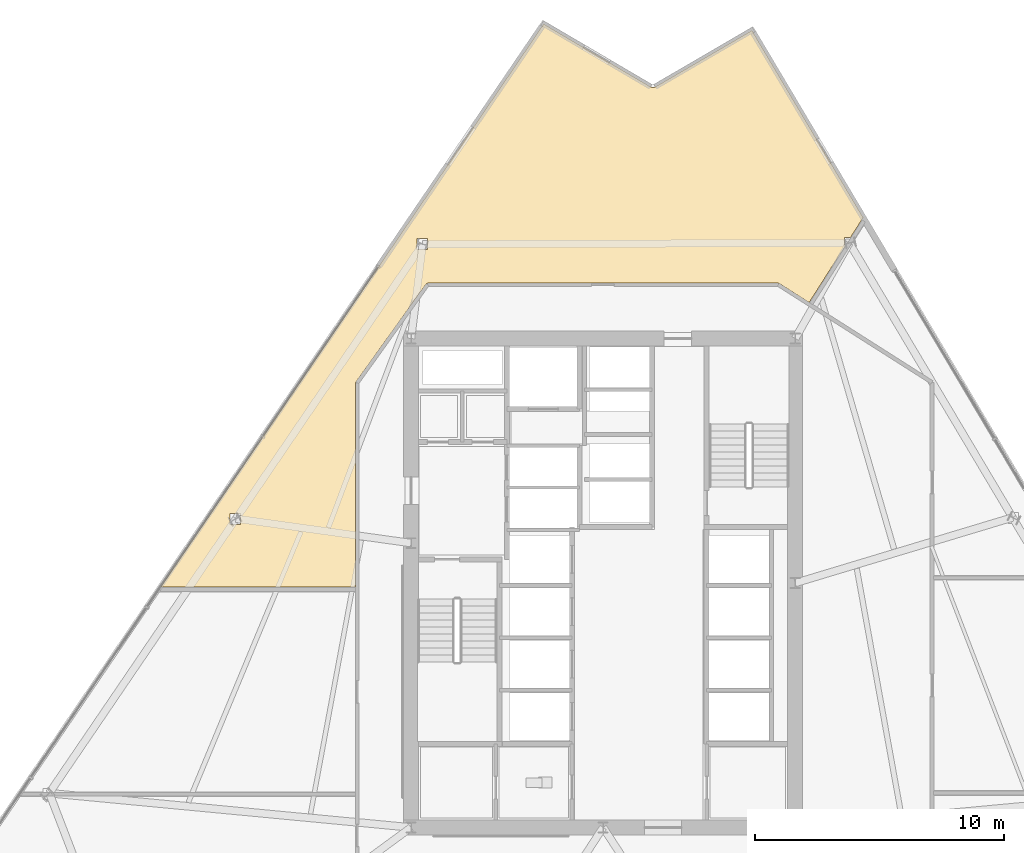
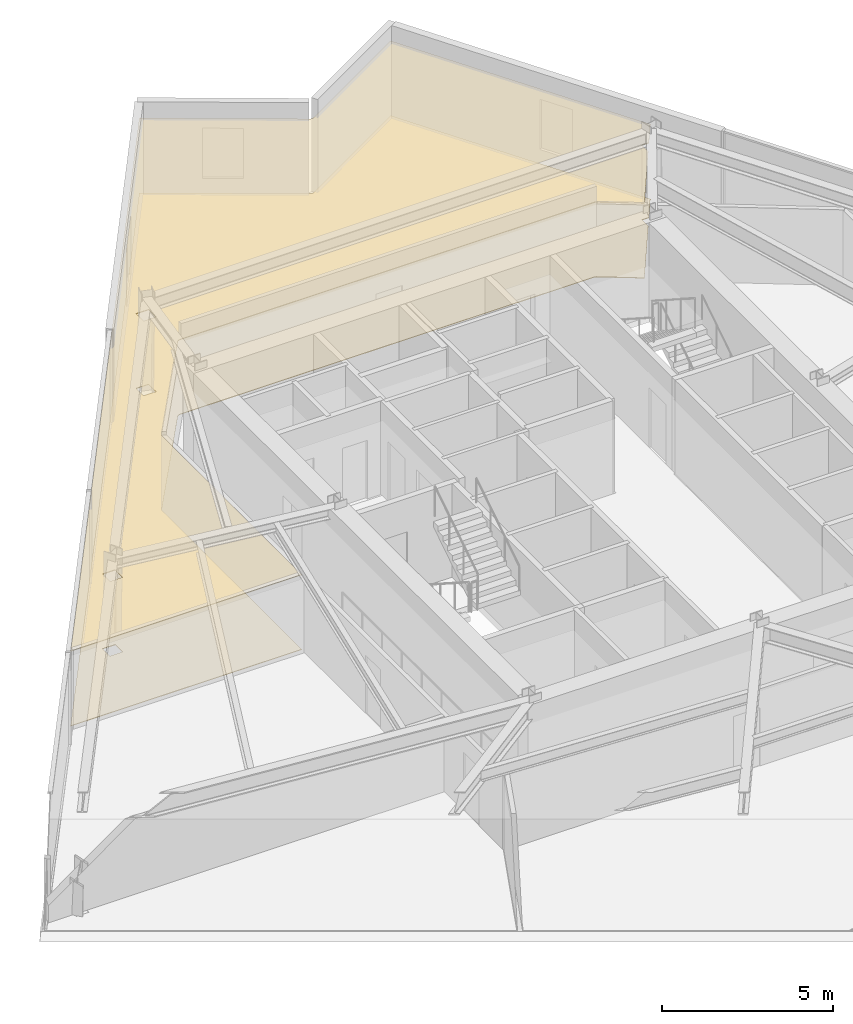
# One storey, part 14 of 15: 2 coverings.
"""IFC4 building model written with IfcOpenShell, lengths in metres."""

from ifc_helpers import new_model, si_unit, direction, frame, origin, place, context, subcontext, project, spatial, polyline, outline, extrude, material, layer, layer_set, type_object, element, save


model = new_model("IFC4")

# Units and contexts
model_context = context("Model", 3, precision=1e-05, world=origin(), true_north=direction((0.0, 1.0)))
body_context = subcontext(model_context, "Body", "Model", "MODEL_VIEW")
ifc_project = project(units=[si_unit("LENGTHUNIT", "METRE"), si_unit("AREAUNIT", "SQUARE_METRE"), si_unit("VOLUMEUNIT", "CUBIC_METRE"), si_unit("PLANEANGLEUNIT", "RADIAN"), si_unit("MASSUNIT", "GRAM", prefix="KILO")], contexts=[model_context])

# Site, building, storey
site_placement = place(None, origin())
site = spatial("IfcSite", under=ifc_project, at=site_placement, CompositionType="ELEMENT")
building_placement = place(site_placement, origin())
building = spatial("IfcBuilding", under=site, at=building_placement, Name="Savorim Split Tower", CompositionType="ELEMENT")
storey_placement = place(building_placement, frame((0.0, 0.0, 111.300048828125)))
storey = spatial("IfcBuildingStorey", under=building, at=storey_placement, Name="L29", CompositionType="ELEMENT", Elevation=111.300048828125)

# Coverings
ifc_material_1 = material(Name="Mineral Fibre Acoustic Ceiling")
ifc_layer_1 = layer(ifc_material_1, 0.02490234375)
ifc_layer_set_1 = layer_set([ifc_layer_1], Name="COV-CEIL-25")
covering_type_1 = type_object("IfcCoveringType", Name="COV-CEIL-25", PredefinedType="CEILING", material=ifc_layer_set_1)
covering_1_placement = place(storey_placement, frame((0.0, 0.0, 2.669921875)))
element("IfcCovering", 1, at=covering_1_placement, inside=storey, type_object=covering_type_1, Name="L29 Maker Workshop Acoustic Ceiling", PredefinedType="CEILING", context=body_context, shape_type="SweptSolid", body=[
    extrude(outline(polyline([(1.955322265625, 20.260986328125), (1.944580078125, 20.265380859375), (1.934326171875, 20.270751953125), (-2.384765625, 22.80908203125), (-17.7412109375, 0.235107421875), (-9.919921875, 0.235107421875), (-9.919921875, 8.39990234375), (-9.919189453125, 8.41455078125), (-9.9169921875, 8.4287109375), (-9.913330078125, 8.44287109375), (-9.908203125, 8.456298828125), (-9.901611328125, 8.46923828125), (-9.893798828125, 8.4814453125), (-7.11376953125, 12.361572265625), (-7.105712890625, 12.3720703125), (-7.096435546875, 12.381591796875), (-7.086181640625, 12.39013671875), (-7.075439453125, 12.39794921875), (-7.06396484375, 12.404541015625), (-7.052001953125, 12.409912109375), (-7.039306640625, 12.414306640625), (-7.0263671875, 12.41748046875), (-7.01318359375, 12.41943359375), (-7.0, 12.419921875), (7.0, 12.419921875), (7.01318359375, 12.41943359375), (7.0263671875, 12.41748046875), (7.0390625, 12.414306640625), (7.051513671875, 12.41015625), (7.063720703125, 12.40478515625), (7.0751953125, 12.398193359375), (8.25927734375, 11.64501953125), (9.678955078125, 13.877197265625), (9.678955078125, 14.253173828125), (9.918212890625, 14.253173828125), (10.368896484375, 14.9619140625), (10.419921875, 15.0419921875), (10.43505859375, 15.032470703125), (5.96533203125, 22.54931640625), (2.0556640625, 20.2705078125), (2.04541015625, 20.26513671875), (2.03466796875, 20.260986328125), (2.023681640625, 20.257568359375), (2.01220703125, 20.25537109375), (2.000732421875, 20.25439453125), (1.9892578125, 20.25439453125), (1.977783203125, 20.255615234375), (1.96630859375, 20.2578125), (1.955322265625, 20.260986328125)]), holes=[polyline([(-7.0341796875, 14.204345703125), (-7.460205078125, 14.204345703125), (-7.460205078125, 13.768310546875), (-7.0341796875, 13.768310546875), (-7.0341796875, 14.204345703125)]), polyline([(-14.96044921875, 3.17919921875), (-14.96044921875, 2.7431640625), (-14.534423828125, 2.7431640625), (-14.534423828125, 3.17919921875), (-14.96044921875, 3.17919921875)])]), origin(), (0.0, 0.0, 1.0), 0.025146484375),
])
ifc_material_2 = material(Name="Porcelain Stoneware Flooring", Category="masonry")
ifc_layer_2 = layer(ifc_material_2, 0.02001953125)
ifc_layer_set_2 = layer_set([ifc_layer_2], Name="COV-FLOR-20")
covering_type_2 = type_object("IfcCoveringType", Name="COV-FLOR-20", PredefinedType="FLOORING", material=ifc_layer_set_2)
covering_2_placement = place(storey_placement, origin())
element("IfcCovering", 2, at=covering_2_placement, inside=storey, type_object=covering_type_2, Name="L29 Maker Workshop Porcelain Flooring", PredefinedType="FLOORING", context=body_context, shape_type="SweptSolid", body=[
    extrude(outline(polyline([(1.955322265625, 20.260986328125), (1.944580078125, 20.265380859375), (1.934326171875, 20.270751953125), (-2.384765625, 22.80908203125), (-17.7412109375, 0.235107421875), (-9.919921875, 0.235107421875), (-9.919921875, 8.39990234375), (-9.919189453125, 8.41455078125), (-9.9169921875, 8.4287109375), (-9.913330078125, 8.44287109375), (-9.908203125, 8.456298828125), (-9.901611328125, 8.46923828125), (-9.893798828125, 8.4814453125), (-7.11376953125, 12.361572265625), (-7.105712890625, 12.3720703125), (-7.096435546875, 12.381591796875), (-7.086181640625, 12.39013671875), (-7.075439453125, 12.39794921875), (-7.06396484375, 12.404541015625), (-7.052001953125, 12.409912109375), (-7.039306640625, 12.414306640625), (-7.0263671875, 12.41748046875), (-7.01318359375, 12.41943359375), (-7.0, 12.419921875), (7.0, 12.419921875), (7.01318359375, 12.41943359375), (7.0263671875, 12.41748046875), (7.0390625, 12.414306640625), (7.051513671875, 12.41015625), (7.063720703125, 12.40478515625), (7.0751953125, 12.398193359375), (8.25927734375, 11.64501953125), (9.678955078125, 13.877197265625), (9.678955078125, 14.253173828125), (9.918212890625, 14.253173828125), (10.368896484375, 14.9619140625), (10.419921875, 15.0419921875), (10.43505859375, 15.032470703125), (5.96533203125, 22.54931640625), (2.0556640625, 20.2705078125), (2.04541015625, 20.26513671875), (2.03466796875, 20.260986328125), (2.023681640625, 20.257568359375), (2.01220703125, 20.25537109375), (2.000732421875, 20.25439453125), (1.9892578125, 20.25439453125), (1.977783203125, 20.255615234375), (1.96630859375, 20.2578125), (1.955322265625, 20.260986328125)]), holes=[polyline([(-7.0341796875, 14.204345703125), (-7.460205078125, 14.204345703125), (-7.460205078125, 13.768310546875), (-7.0341796875, 13.768310546875), (-7.0341796875, 14.204345703125)]), polyline([(-14.96044921875, 3.17919921875), (-14.96044921875, 2.7431640625), (-14.534423828125, 2.7431640625), (-14.534423828125, 3.17919921875), (-14.96044921875, 3.17919921875)])]), origin(), (0.0, 0.0, 1.0), 0.02001953125),
])

save(model, "model.ifc")
